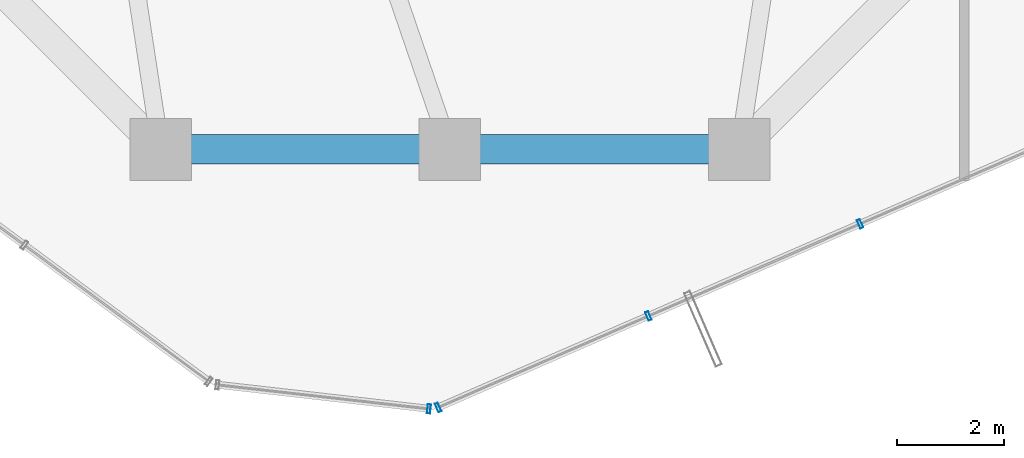
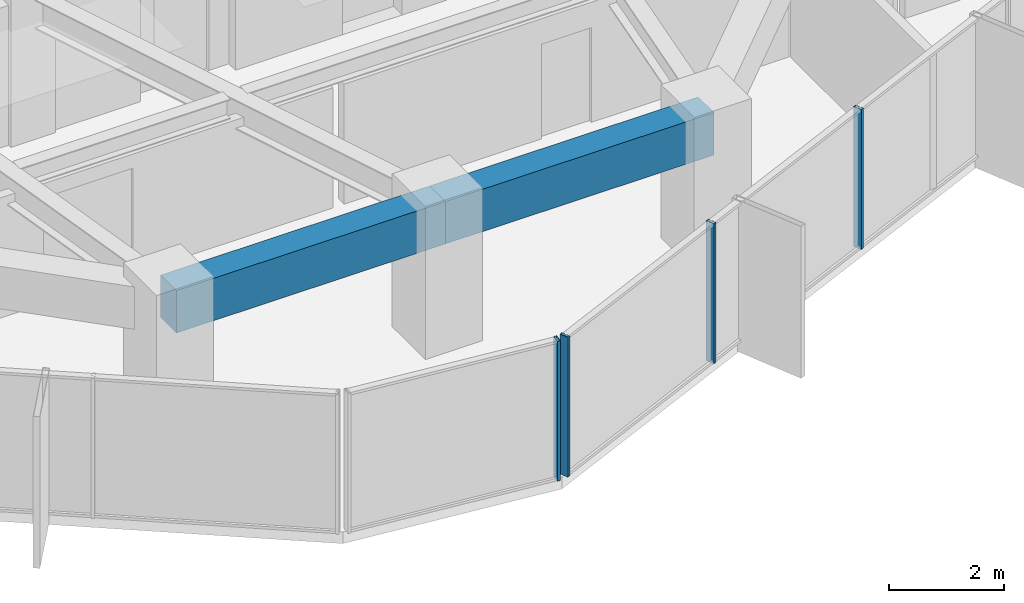
# One storey, part 6 of 29: 4 members, 2 beams, 2 elements without a shape of their own.
"""IFC4 building model written with IfcOpenShell, lengths in metres."""

from ifc_helpers import new_model, si_unit, direction, frame, origin, origin_2d, place, context, subcontext, project, spatial, rectangle, hollow_rectangle, extrude, source, transform, mapped, material, layer, layer_set, material_profile, profile_set, type_object, element, aggregate, save


model = new_model("IFC4")

# Units and contexts
model_context = context("Model", 3, precision=1e-05, world=origin(), true_north=direction((0.0, 1.0)))
body_context = subcontext(model_context, "Body", "Model", "MODEL_VIEW")
ifc_project = project(units=[si_unit("LENGTHUNIT", "METRE"), si_unit("AREAUNIT", "SQUARE_METRE"), si_unit("VOLUMEUNIT", "CUBIC_METRE"), si_unit("PLANEANGLEUNIT", "RADIAN"), si_unit("MASSUNIT", "GRAM", prefix="KILO")], contexts=[model_context])

# Site, building, storey
site_placement = place(None, origin())
site = spatial("IfcSite", under=ifc_project, at=site_placement, CompositionType="ELEMENT")
building_placement = place(site_placement, origin())
building = spatial("IfcBuilding", under=site, at=building_placement, Name="Veraguas Prism Commons", CompositionType="ELEMENT")
storey_placement = place(building_placement, frame((0.0, 0.0, 105.699951171875)))
storey = spatial("IfcBuildingStorey", under=building, at=storey_placement, Name="L29", CompositionType="ELEMENT", Elevation=105.699951171875)

# Beams
ifc_material_1 = material(Name="Concrete C50/60", Category="concrete")
ifc_material_profile_1 = material_profile(ifc_material_1, rectangle(XDim=0.550048828125, YDim=0.89990234375, at=origin_2d()), Name="RC550X900")
ifc_profile_set_1 = profile_set([ifc_material_profile_1], Name="Concrete C50/60")
beam_type = type_object("IfcBeamType", Name="Perimeter Spandrel Lower RC 550x900", PredefinedType="SPANDREL", material=ifc_profile_set_1)
for number, where, z_axis, x_axis, name in (
    (1, (18.60009765625, 7.800048828125, 2.52001953125), (1.0, 0.0, 0.0), (0.0, 1.0, 0.0), "Perimeter Spandrel Beam L29-SP10"),
    (2, (24.0, 7.800048828125, 2.52001953125), (1.0, 0.0, 0.0), (0.0, 1.0, 0.0), "Perimeter Spandrel Beam L29-SP11"),
):
    element("IfcBeam", number, at=place(storey_placement, frame(where, z_axis=z_axis, x_axis=x_axis)), inside=storey, type_object=beam_type, Name=name, PredefinedType="SPANDREL", context=body_context, shape_type="SweptSolid", body=[
        extrude(rectangle(XDim=0.550048828125, YDim=0.89990234375, at=origin_2d()), origin(), (0.0, 0.0, 1.0), 5.39990234375),
    ])

# Curtain wall, members
ifc_material_2 = material(Name="Anodised aluminium EN AW-6063 T6", Category="aluminium")
ifc_layer = layer(ifc_material_2, 0.169921875, Name="Unitised Flush Curtain Wall Zone 2", Category="aluminium")
ifc_layer_set = layer_set([ifc_layer], Name="Anodised aluminium EN AW-6063 T6")
curtain_wall_type = type_object("IfcCurtainWallType", Name="Unitised Flush Curtain Wall Zone 2", PredefinedType="NOTDEFINED", material=ifc_layer_set)
curtain_wall_1_placement = place(storey_placement, origin())
curtain_wall_1 = element("IfcCurtainWall", 3, at=curtain_wall_1_placement, inside=storey, type_object=curtain_wall_type, Name="Tower Facade Curtain Wall L29-F5", PredefinedType="NOTDEFINED")
ifc_material_profile_2 = material_profile(ifc_material_2, hollow_rectangle(XDim=0.06005859375, YDim=0.169921875, WallThickness=0.00390625, at=origin_2d()), Name="AL60X170X4")
ifc_profile_set_2 = profile_set([ifc_material_profile_2], Name="Anodised aluminium EN AW-6063 T6")
member_type = type_object("IfcMemberType", Name="Curtain Wall Mullion Lower AL 60x170x4", PredefinedType="MULLION", material=ifc_profile_set_2)
shared_shape = source(origin(), body_context, "Body", "SweptSolid", [
    extrude(hollow_rectangle(XDim=0.06005859375, YDim=0.169921875, WallThickness=0.00390625, at=origin_2d()), origin(), (0.0, 0.0, 1.0), 2.969970703125),
])
member_1_placement = place(storey_placement, frame((23.78125, 2.984375, 0.0), z_axis=(0.0, 0.0, 1.0), x_axis=(0.916919435815, 0.399072359635, 0.0)))
member_1 = element("IfcMember", 4, at=member_1_placement, type_object=member_type, Name="CW-Z2 Mullion 1", PredefinedType="MULLION", context=body_context, shape_type="MappedRepresentation", body=[
    mapped(shared_shape, transform((0.0, 0.0, 0.0), scale=1.0)),
])
member_2_placement = place(storey_placement, frame((27.704345703125, 4.691650390625, 0.0), z_axis=(0.0, 0.0, 1.0), x_axis=(0.916919435815, 0.399072359635, 0.0)))
member_2 = element("IfcMember", 5, at=member_2_placement, type_object=member_type, Name="CW-Z2 Mullion 2", PredefinedType="MULLION", context=body_context, shape_type="MappedRepresentation", body=[
    mapped(shared_shape, transform((0.0, 0.0, 0.0), scale=1.0)),
])
member_3_placement = place(storey_placement, frame((31.655029296875, 6.4111328125, 0.0), z_axis=(0.0, 0.0, 1.0), x_axis=(0.916919435815, 0.399072359635, 0.0)))
member_3 = element("IfcMember", 6, at=member_3_placement, type_object=member_type, Name="CW-Z2 Mullion 3", PredefinedType="MULLION", context=body_context, shape_type="MappedRepresentation", body=[
    mapped(shared_shape, transform((0.0, 0.0, 0.0), scale=1.0)),
])
aggregate(curtain_wall_1, [member_1, member_2, member_3])

# Curtain wall, member
curtain_wall_2_placement = place(storey_placement, origin())
curtain_wall_2 = element("IfcCurtainWall", 7, at=curtain_wall_2_placement, inside=storey, type_object=curtain_wall_type, Name="Chamfer Curtain Wall L29-C5", PredefinedType="NOTDEFINED")
member_4_placement = place(storey_placement, frame((23.609375, 2.95849609375, 0.0), z_axis=(0.0, 0.0, 1.0), x_axis=(0.993613280084, -0.112839043067, 0.0)))
member_4 = element("IfcMember", 8, at=member_4_placement, type_object=member_type, Name="CW-Z2 Mullion 2", PredefinedType="MULLION", context=body_context, shape_type="MappedRepresentation", body=[
    mapped(shared_shape, transform((0.0, 0.0, 0.0), scale=1.0)),
])
aggregate(curtain_wall_2, [member_4])

save(model, "model.ifc")
